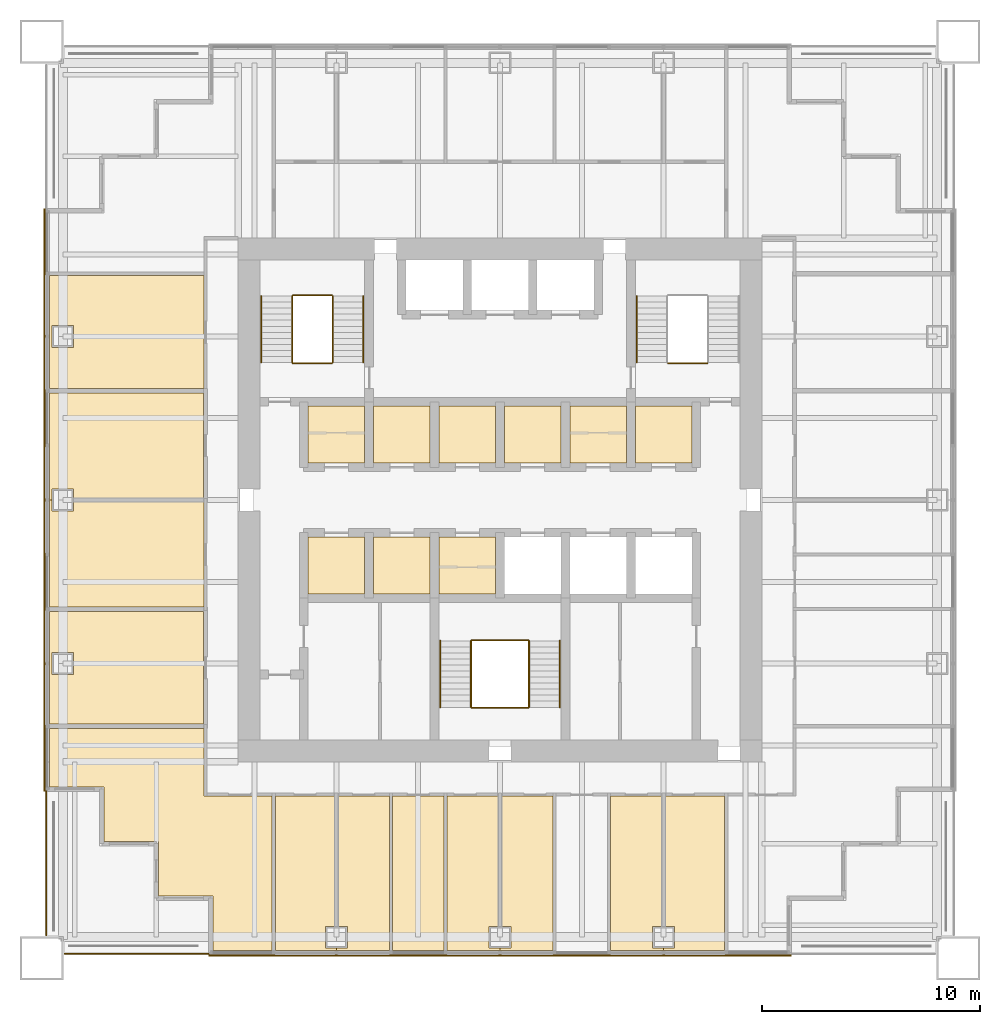
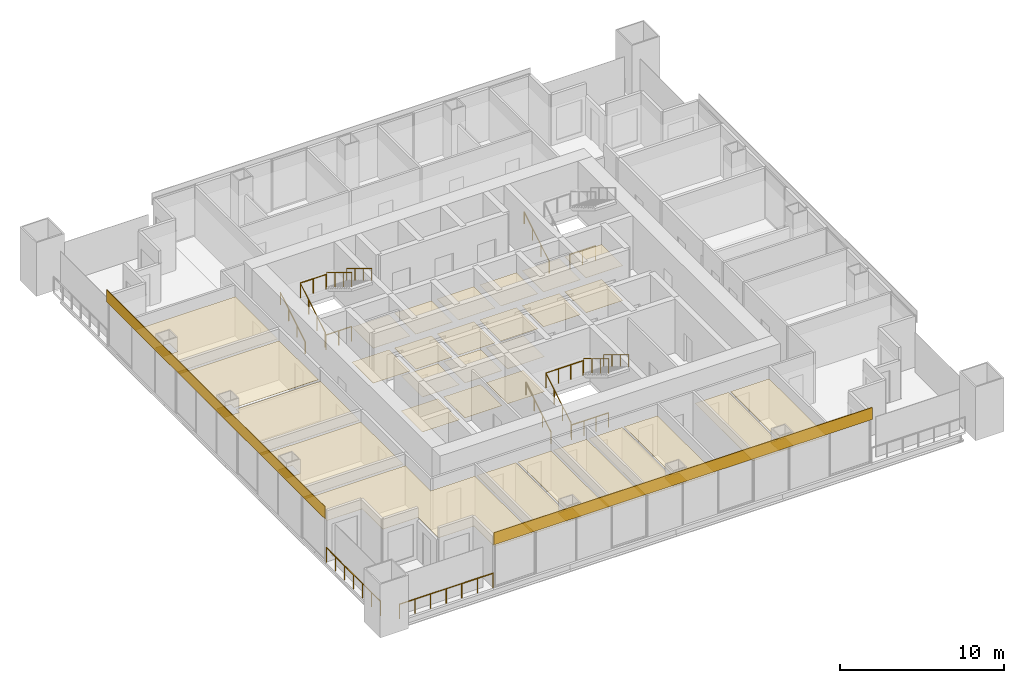
# One storey, part 14 of 15: 32 coverings, 16 railings.
"""IFC4 building model written with IfcOpenShell, lengths in metres."""

from ifc_helpers import new_model, si_unit, direction, frame, origin, origin_2d, place, context, subcontext, project, spatial, polyline, rectangle, circle, outline, extrude, material, layer, layer_set, type_object, element, save


model = new_model("IFC4")

# Units and contexts
model_context = context("Model", 3, precision=1e-05, world=origin(), true_north=direction((0.0, 1.0)))
body_context = subcontext(model_context, "Body", "Model", "MODEL_VIEW")
ifc_project = project(units=[si_unit("LENGTHUNIT", "METRE"), si_unit("AREAUNIT", "SQUARE_METRE"), si_unit("VOLUMEUNIT", "CUBIC_METRE"), si_unit("PLANEANGLEUNIT", "RADIAN"), si_unit("MASSUNIT", "GRAM", prefix="KILO")], contexts=[model_context])

# Site, building, storey
site_placement = place(None, origin())
site = spatial("IfcSite", under=ifc_project, at=site_placement, CompositionType="ELEMENT")
building_placement = place(site_placement, origin())
building = spatial("IfcBuilding", under=site, at=building_placement, Name="Tarangal Relay Tower", CompositionType="ELEMENT")
storey_placement = place(building_placement, frame((0.0, 0.0, 331.89990234375)))
storey = spatial("IfcBuildingStorey", under=building, at=storey_placement, Name="L74", CompositionType="ELEMENT", Elevation=331.89990234375)

# Coverings
ifc_material_1 = material(Name="Anti-static vinyl flooring", Category="plastic")
ifc_layer_1 = layer(ifc_material_1, 0.010009765625)
ifc_layer_set_1 = layer_set([ifc_layer_1], Name="Anti-static vinyl floor")
covering_type_1 = type_object("IfcCoveringType", Name="Anti-static vinyl floor", PredefinedType="FLOORING", material=ifc_layer_set_1)
covering_1_placement = place(storey_placement, origin())
element("IfcCovering", 1, at=covering_1_placement, inside=storey, type_object=covering_type_1, Name="Floor finish FL1 L74-D1", PredefinedType="FLOORING", context=body_context, shape_type="SweptSolid", body=[
    extrude(outline(polyline([(-8.800048828125, 1.699951171875), (-6.199951171875, 1.699951171875), (-6.199951171875, 4.300048828125), (-8.800048828125, 4.300048828125), (-8.800048828125, 1.699951171875)])), origin(), (0.0, 0.0, 1.0), 0.010009765625),
])
covering_2_placement = place(storey_placement, origin())
element("IfcCovering", 2, at=covering_2_placement, inside=storey, type_object=covering_type_1, Name="Floor finish FL1 L74-D2", PredefinedType="FLOORING", context=body_context, shape_type="SweptSolid", body=[
    extrude(outline(polyline([(-5.800048828125, 1.699951171875), (-3.199951171875, 1.699951171875), (-3.199951171875, 4.300048828125), (-5.800048828125, 4.300048828125), (-5.800048828125, 1.699951171875)])), origin(), (0.0, 0.0, 1.0), 0.010009765625),
])
covering_3_placement = place(storey_placement, origin())
element("IfcCovering", 3, at=covering_3_placement, inside=storey, type_object=covering_type_1, Name="Floor finish FL1 L74-D3", PredefinedType="FLOORING", context=body_context, shape_type="SweptSolid", body=[
    extrude(outline(polyline([(-2.800048828125, 1.699951171875), (-0.199951171875, 1.699951171875), (-0.199951171875, 4.300048828125), (-2.800048828125, 4.300048828125), (-2.800048828125, 1.699951171875)])), origin(), (0.0, 0.0, 1.0), 0.010009765625),
])
covering_4_placement = place(storey_placement, origin())
element("IfcCovering", 4, at=covering_4_placement, inside=storey, type_object=covering_type_1, Name="Floor finish FL1 L74-T1", PredefinedType="FLOORING", context=body_context, shape_type="SweptSolid", body=[
    extrude(outline(polyline([(0.199951171875, 1.699951171875), (2.800048828125, 1.699951171875), (2.800048828125, 4.300048828125), (0.199951171875, 4.300048828125), (0.199951171875, 1.699951171875)])), origin(), (0.0, 0.0, 1.0), 0.010009765625),
])
covering_5_placement = place(storey_placement, origin())
element("IfcCovering", 5, at=covering_5_placement, inside=storey, type_object=covering_type_1, Name="Floor finish FL1 L74-T2", PredefinedType="FLOORING", context=body_context, shape_type="SweptSolid", body=[
    extrude(outline(polyline([(3.199951171875, 1.699951171875), (5.800048828125, 1.699951171875), (5.800048828125, 4.300048828125), (3.199951171875, 4.300048828125), (3.199951171875, 1.699951171875)])), origin(), (0.0, 0.0, 1.0), 0.010009765625),
])
covering_6_placement = place(storey_placement, origin())
element("IfcCovering", 6, at=covering_6_placement, inside=storey, type_object=covering_type_1, Name="Floor finish FL1 L74-T3", PredefinedType="FLOORING", context=body_context, shape_type="SweptSolid", body=[
    extrude(outline(polyline([(6.199951171875, 1.699951171875), (8.800048828125, 1.699951171875), (8.800048828125, 4.300048828125), (6.199951171875, 4.300048828125), (6.199951171875, 1.699951171875)])), origin(), (0.0, 0.0, 1.0), 0.010009765625),
])
covering_7_placement = place(storey_placement, origin())
element("IfcCovering", 7, at=covering_7_placement, inside=storey, type_object=covering_type_1, Name="Floor finish FL1 L74-S1", PredefinedType="FLOORING", context=body_context, shape_type="SweptSolid", body=[
    extrude(outline(polyline([(-8.800048828125, -4.300048828125), (-6.199951171875, -4.300048828125), (-6.199951171875, -1.699951171875), (-8.800048828125, -1.699951171875), (-8.800048828125, -4.300048828125)])), origin(), (0.0, 0.0, 1.0), 0.010009765625),
])
covering_8_placement = place(storey_placement, origin())
element("IfcCovering", 8, at=covering_8_placement, inside=storey, type_object=covering_type_1, Name="Floor finish FL1 L74-S2", PredefinedType="FLOORING", context=body_context, shape_type="SweptSolid", body=[
    extrude(outline(polyline([(-5.800048828125, -4.300048828125), (-3.199951171875, -4.300048828125), (-3.199951171875, -1.699951171875), (-5.800048828125, -1.699951171875), (-5.800048828125, -4.300048828125)])), origin(), (0.0, 0.0, 1.0), 0.010009765625),
])
covering_9_placement = place(storey_placement, origin())
element("IfcCovering", 9, at=covering_9_placement, inside=storey, type_object=covering_type_1, Name="Floor finish FL1 L74-S3", PredefinedType="FLOORING", context=body_context, shape_type="SweptSolid", body=[
    extrude(outline(polyline([(-2.800048828125, -4.300048828125), (-0.199951171875, -4.300048828125), (-0.199951171875, -1.699951171875), (-2.800048828125, -1.699951171875), (-2.800048828125, -4.300048828125)])), origin(), (0.0, 0.0, 1.0), 0.010009765625),
])
ifc_material_2 = material(Name="Black anodised aluminium cladding", Category="aluminium")
ifc_layer_2 = layer(ifc_material_2, 0.050048828125)
ifc_layer_set_2 = layer_set([ifc_layer_2], Name="Black metal spandrel band")
covering_type_2 = type_object("IfcCoveringType", Name="Black metal spandrel band", PredefinedType="CLADDING", material=ifc_layer_set_2)
for number, where, z_axis, x_axis, name in (
    (10, (0.0, -20.875, 3.250244140625), (0.0, 0.0, 1.0), (-1.0, 0.0, 0.0), "Spandrel band SB1 S L74"),
    (11, (-20.875, 0.0, 3.250244140625), (0.0, 0.0, 1.0), (0.0, 1.0, 0.0), "Spandrel band SB1 W L74"),
):
    element("IfcCovering", number, at=place(storey_placement, frame(where, z_axis=z_axis, x_axis=x_axis)), inside=storey, type_object=covering_type_2, Name=name, PredefinedType="CLADDING", context=body_context, shape_type="SweptSolid", body=[
        extrude(rectangle(XDim=26.699951171875, YDim=0.050048828125, at=origin_2d()), origin(), (0.0, 0.0, 1.0), 0.89990234375),
    ])

# Railings
ifc_material_3 = material(Name="Steel guard, black finish", Category="steel")
railing_type_1 = type_object("IfcRailingType", Name="Stair guard 1100", PredefinedType="GUARDRAIL", material=ifc_material_3)
railing_1_placement = place(storey_placement, frame((-9.530029296875, 6.300048828125, 0.166748046875)))
element("IfcRailing", 12, at=railing_1_placement, inside=storey, type_object=railing_type_1, Name="Stair ST-A guard GR1 L74 flight 1", PredefinedType="GUARDRAIL", context=body_context, shape_type="SweptSolid", body=[
    extrude(circle(Radius=0.02392578125, at=origin_2d()), frame((0.0, 0.0, 1.076171875), z_axis=(0.0, 0.85685617095, 0.515555527858), x_axis=(-1.0, 0.0, 0.0)), (0.0, 0.0, 1.0), 3.555908203125),
    extrude(circle(Radius=0.02099609375, at=origin_2d()), origin(), (0.0, 0.0, 1.0), 1.052001953125),
    extrude(circle(Radius=0.02099609375, at=origin_2d()), frame((0.0, 1.015625, 0.611083984375)), (0.0, 0.0, 1.0), 1.052001953125),
    extrude(circle(Radius=0.02099609375, at=origin_2d()), frame((0.0, 2.03125, 1.22216796875)), (0.0, 0.0, 1.0), 1.052001953125),
    extrude(circle(Radius=0.02099609375, at=origin_2d()), frame((0.0, 3.046875, 1.833251953125)), (0.0, 0.0, 1.0), 1.052001953125),
])
railing_2_placement = place(storey_placement, frame((-7.669921875, 9.346923828125, 2.166748046875)))
element("IfcRailing", 13, at=railing_2_placement, inside=storey, type_object=railing_type_1, Name="Stair ST-A guard GR1 L74 flight 2", PredefinedType="GUARDRAIL", context=body_context, shape_type="SweptSolid", body=[
    extrude(circle(Radius=0.02392578125, at=origin_2d()), frame((0.0, 0.0, 1.076171875), z_axis=(0.0, -0.85685617095, 0.515555527858), x_axis=(1.0, 0.0, 0.0)), (0.0, 0.0, 1.0), 3.555908203125),
    extrude(circle(Radius=0.02099609375, at=origin_2d()), origin(), (0.0, 0.0, 1.0), 1.052001953125),
    extrude(circle(Radius=0.02099609375, at=origin_2d()), frame((0.0, -1.015625, 0.611083984375)), (0.0, 0.0, 1.0), 1.052001953125),
    extrude(circle(Radius=0.02099609375, at=origin_2d()), frame((0.0, -2.03125, 1.22216796875)), (0.0, 0.0, 1.0), 1.052001953125),
    extrude(circle(Radius=0.02099609375, at=origin_2d()), frame((0.0, -3.046875, 1.833251953125)), (0.0, 0.0, 1.0), 1.052001953125),
])
for number, where, name in (
    (14, (-9.5, 6.27001953125, 0.0), "Stair ST-A landing guard GR1 L74"),
    (15, (-9.5, 9.376953125, 2.0), "Stair ST-A landing guard GR1 L74"),
    (16, (7.699951171875, 6.27001953125, 0.0), "Stair ST-B landing guard GR1 L74"),
):
    element("IfcRailing", number, at=place(storey_placement, frame(where)), inside=storey, type_object=railing_type_1, Name=name, PredefinedType="GUARDRAIL", context=body_context, shape_type="SweptSolid", body=[
        extrude(circle(Radius=0.02392578125, at=origin_2d()), frame((0.0, 0.0, 1.076171875), z_axis=(1.0, 0.0, 0.0), x_axis=(0.0, 1.0, 0.0)), (0.0, 0.0, 1.0), 1.800048828125),
        extrude(circle(Radius=0.02099609375, at=origin_2d()), origin(), (0.0, 0.0, 1.0), 1.052001953125),
        extrude(circle(Radius=0.02099609375, at=origin_2d()), frame((0.89990234375, 0.0, 0.0)), (0.0, 0.0, 1.0), 1.052001953125),
        extrude(circle(Radius=0.02099609375, at=origin_2d()), frame((1.800048828125, 0.0, 0.0)), (0.0, 0.0, 1.0), 1.052001953125),
    ])
railing_3_placement = place(storey_placement, frame((-1.330078125, -9.5, 0.166748046875)))
element("IfcRailing", 17, at=railing_3_placement, inside=storey, type_object=railing_type_1, Name="Stair ST-C guard GR1 L74 flight 1", PredefinedType="GUARDRAIL", context=body_context, shape_type="SweptSolid", body=[
    extrude(circle(Radius=0.02392578125, at=origin_2d()), frame((0.0, 0.0, 1.076171875), z_axis=(0.0, 0.856874418557, 0.515525199018), x_axis=(-1.0, 0.0, 0.0)), (0.0, 0.0, 1.0), 3.55615234375),
    extrude(circle(Radius=0.02099609375, at=origin_2d()), origin(), (0.0, 0.0, 1.0), 1.052001953125),
    extrude(circle(Radius=0.02099609375, at=origin_2d()), frame((0.0, 1.015625, 0.611083984375)), (0.0, 0.0, 1.0), 1.052001953125),
    extrude(circle(Radius=0.02099609375, at=origin_2d()), frame((0.0, 2.031494140625, 1.22216796875)), (0.0, 0.0, 1.0), 1.052001953125),
    extrude(circle(Radius=0.02099609375, at=origin_2d()), frame((0.0, 3.047119140625, 1.833251953125)), (0.0, 0.0, 1.0), 1.052001953125),
])
railing_4_placement = place(storey_placement, frame((1.330078125, -6.452880859375, 2.166748046875)))
element("IfcRailing", 18, at=railing_4_placement, inside=storey, type_object=railing_type_1, Name="Stair ST-C guard GR1 L74 flight 2", PredefinedType="GUARDRAIL", context=body_context, shape_type="SweptSolid", body=[
    extrude(circle(Radius=0.02392578125, at=origin_2d()), frame((0.0, 0.0, 1.076171875), z_axis=(0.0, -0.856874418557, 0.515525199018), x_axis=(1.0, 0.0, 0.0)), (0.0, 0.0, 1.0), 3.55615234375),
    extrude(circle(Radius=0.02099609375, at=origin_2d()), origin(), (0.0, 0.0, 1.0), 1.052001953125),
    extrude(circle(Radius=0.02099609375, at=origin_2d()), frame((0.0, -1.015625, 0.611083984375)), (0.0, 0.0, 1.0), 1.052001953125),
    extrude(circle(Radius=0.02099609375, at=origin_2d()), frame((0.0, -2.031494140625, 1.22216796875)), (0.0, 0.0, 1.0), 1.052001953125),
    extrude(circle(Radius=0.02099609375, at=origin_2d()), frame((0.0, -3.047119140625, 1.833251953125)), (0.0, 0.0, 1.0), 1.052001953125),
])
for number, where, name in (
    (19, (-1.300048828125, -9.530029296875, 0.0), "Stair ST-C landing guard GR1 L74"),
    (20, (-1.300048828125, -6.423095703125, 2.0), "Stair ST-C landing guard GR1 L74"),
):
    element("IfcRailing", number, at=place(storey_placement, frame(where)), inside=storey, type_object=railing_type_1, Name=name, PredefinedType="GUARDRAIL", context=body_context, shape_type="SweptSolid", body=[
        extrude(circle(Radius=0.02392578125, at=origin_2d()), frame((0.0, 0.0, 1.076171875), z_axis=(1.0, 0.0, 0.0), x_axis=(0.0, 1.0, 0.0)), (0.0, 0.0, 1.0), 2.60009765625),
        extrude(circle(Radius=0.02099609375, at=origin_2d()), origin(), (0.0, 0.0, 1.0), 1.052001953125),
        extrude(circle(Radius=0.02099609375, at=origin_2d()), frame((0.86669921875, 0.0, 0.0)), (0.0, 0.0, 1.0), 1.052001953125),
        extrude(circle(Radius=0.02099609375, at=origin_2d()), frame((1.7333984375, 0.0, 0.0)), (0.0, 0.0, 1.0), 1.052001953125),
        extrude(circle(Radius=0.02099609375, at=origin_2d()), frame((2.60009765625, 0.0, 0.0)), (0.0, 0.0, 1.0), 1.052001953125),
    ])
ifc_material_4 = material(Name="Steel handrail, black finish", Category="steel")
railing_type_2 = type_object("IfcRailingType", Name="Stair handrail 900", PredefinedType="HANDRAIL", material=ifc_material_4)
railing_5_placement = place(storey_placement, frame((-10.93994140625, 6.300048828125, 0.166748046875)))
element("IfcRailing", 21, at=railing_5_placement, inside=storey, type_object=railing_type_2, Name="Stair ST-A handrail HR1 L74 flight 1", PredefinedType="HANDRAIL", context=body_context, shape_type="SweptSolid", body=[
    extrude(circle(Radius=0.02392578125, at=origin_2d()), frame((0.0, 0.0, 0.8759765625), z_axis=(0.0, 0.85685617095, 0.515555527858), x_axis=(-1.0, 0.0, 0.0)), (0.0, 0.0, 1.0), 3.555908203125),
    extrude(circle(Radius=0.02099609375, at=origin_2d()), origin(), (0.0, 0.0, 1.0), 0.851806640625),
    extrude(circle(Radius=0.02099609375, at=origin_2d()), frame((0.0, 1.015625, 0.611083984375)), (0.0, 0.0, 1.0), 0.851806640625),
    extrude(circle(Radius=0.02099609375, at=origin_2d()), frame((0.0, 2.03125, 1.22216796875)), (0.0, 0.0, 1.0), 0.851806640625),
    extrude(circle(Radius=0.02099609375, at=origin_2d()), frame((0.0, 3.046875, 1.833251953125)), (0.0, 0.0, 1.0), 0.851806640625),
])
railing_6_placement = place(storey_placement, frame((-6.260009765625, 9.346923828125, 2.166748046875)))
element("IfcRailing", 22, at=railing_6_placement, inside=storey, type_object=railing_type_2, Name="Stair ST-A handrail HR1 L74 flight 2", PredefinedType="HANDRAIL", context=body_context, shape_type="SweptSolid", body=[
    extrude(circle(Radius=0.02392578125, at=origin_2d()), frame((0.0, 0.0, 0.8759765625), z_axis=(0.0, -0.85685617095, 0.515555527858), x_axis=(1.0, 0.0, 0.0)), (0.0, 0.0, 1.0), 3.555908203125),
    extrude(circle(Radius=0.02099609375, at=origin_2d()), origin(), (0.0, 0.0, 1.0), 0.851806640625),
    extrude(circle(Radius=0.02099609375, at=origin_2d()), frame((0.0, -1.015625, 0.611083984375)), (0.0, 0.0, 1.0), 0.851806640625),
    extrude(circle(Radius=0.02099609375, at=origin_2d()), frame((0.0, -2.03125, 1.22216796875)), (0.0, 0.0, 1.0), 0.851806640625),
    extrude(circle(Radius=0.02099609375, at=origin_2d()), frame((0.0, -3.046875, 1.833251953125)), (0.0, 0.0, 1.0), 0.851806640625),
])
railing_7_placement = place(storey_placement, frame((6.260009765625, 6.300048828125, 0.166748046875)))
element("IfcRailing", 23, at=railing_7_placement, inside=storey, type_object=railing_type_2, Name="Stair ST-B handrail HR1 L74 flight 1", PredefinedType="HANDRAIL", context=body_context, shape_type="SweptSolid", body=[
    extrude(circle(Radius=0.02392578125, at=origin_2d()), frame((0.0, 0.0, 0.8759765625), z_axis=(0.0, 0.85685617095, 0.515555527858), x_axis=(-1.0, 0.0, 0.0)), (0.0, 0.0, 1.0), 3.555908203125),
    extrude(circle(Radius=0.02099609375, at=origin_2d()), origin(), (0.0, 0.0, 1.0), 0.851806640625),
    extrude(circle(Radius=0.02099609375, at=origin_2d()), frame((0.0, 1.015625, 0.611083984375)), (0.0, 0.0, 1.0), 0.851806640625),
    extrude(circle(Radius=0.02099609375, at=origin_2d()), frame((0.0, 2.03125, 1.22216796875)), (0.0, 0.0, 1.0), 0.851806640625),
    extrude(circle(Radius=0.02099609375, at=origin_2d()), frame((0.0, 3.046875, 1.833251953125)), (0.0, 0.0, 1.0), 0.851806640625),
])
railing_8_placement = place(storey_placement, frame((-2.739990234375, -9.5, 0.166748046875)))
element("IfcRailing", 24, at=railing_8_placement, inside=storey, type_object=railing_type_2, Name="Stair ST-C handrail HR1 L74 flight 1", PredefinedType="HANDRAIL", context=body_context, shape_type="SweptSolid", body=[
    extrude(circle(Radius=0.02392578125, at=origin_2d()), frame((0.0, 0.0, 0.8759765625), z_axis=(0.0, 0.856874418557, 0.515525199018), x_axis=(-1.0, 0.0, 0.0)), (0.0, 0.0, 1.0), 3.55615234375),
    extrude(circle(Radius=0.02099609375, at=origin_2d()), origin(), (0.0, 0.0, 1.0), 0.851806640625),
    extrude(circle(Radius=0.02099609375, at=origin_2d()), frame((0.0, 1.015625, 0.611083984375)), (0.0, 0.0, 1.0), 0.851806640625),
    extrude(circle(Radius=0.02099609375, at=origin_2d()), frame((0.0, 2.031494140625, 1.22216796875)), (0.0, 0.0, 1.0), 0.851806640625),
    extrude(circle(Radius=0.02099609375, at=origin_2d()), frame((0.0, 3.047119140625, 1.833251953125)), (0.0, 0.0, 1.0), 0.851806640625),
])
railing_9_placement = place(storey_placement, frame((2.739990234375, -6.452880859375, 2.166748046875)))
element("IfcRailing", 25, at=railing_9_placement, inside=storey, type_object=railing_type_2, Name="Stair ST-C handrail HR1 L74 flight 2", PredefinedType="HANDRAIL", context=body_context, shape_type="SweptSolid", body=[
    extrude(circle(Radius=0.02392578125, at=origin_2d()), frame((0.0, 0.0, 0.8759765625), z_axis=(0.0, -0.856874418557, 0.515525199018), x_axis=(1.0, 0.0, 0.0)), (0.0, 0.0, 1.0), 3.55615234375),
    extrude(circle(Radius=0.02099609375, at=origin_2d()), origin(), (0.0, 0.0, 1.0), 0.851806640625),
    extrude(circle(Radius=0.02099609375, at=origin_2d()), frame((0.0, -1.015625, 0.611083984375)), (0.0, 0.0, 1.0), 0.851806640625),
    extrude(circle(Radius=0.02099609375, at=origin_2d()), frame((0.0, -2.031494140625, 1.22216796875)), (0.0, 0.0, 1.0), 0.851806640625),
    extrude(circle(Radius=0.02099609375, at=origin_2d()), frame((0.0, -3.047119140625, 1.833251953125)), (0.0, 0.0, 1.0), 0.851806640625),
])

# Coverings
ifc_material_5 = material(Name="Mineral fibre ceiling tiles", Category="gypsum")
ifc_layer_3 = layer(ifc_material_5, 0.02001953125)
ifc_layer_set_3 = layer_set([ifc_layer_3], Name="Suspended ceiling")
covering_type_3 = type_object("IfcCoveringType", Name="Suspended ceiling", PredefinedType="CEILING", material=ifc_layer_set_3)
covering_10_placement = place(storey_placement, frame((0.0, 0.0, 2.60009765625)))
element("IfcCovering", 26, at=covering_10_placement, inside=storey, type_object=covering_type_3, Name="Suspended ceiling CL1 L74-D1", PredefinedType="CEILING", context=body_context, shape_type="SweptSolid", body=[
    extrude(outline(polyline([(-8.800048828125, 1.699951171875), (-6.199951171875, 1.699951171875), (-6.199951171875, 4.300048828125), (-8.800048828125, 4.300048828125), (-8.800048828125, 1.699951171875)])), origin(), (0.0, 0.0, 1.0), 0.02001953125),
])
covering_11_placement = place(storey_placement, frame((0.0, 0.0, 2.60009765625)))
element("IfcCovering", 27, at=covering_11_placement, inside=storey, type_object=covering_type_3, Name="Suspended ceiling CL1 L74-D2", PredefinedType="CEILING", context=body_context, shape_type="SweptSolid", body=[
    extrude(outline(polyline([(-5.800048828125, 1.699951171875), (-3.199951171875, 1.699951171875), (-3.199951171875, 4.300048828125), (-5.800048828125, 4.300048828125), (-5.800048828125, 1.699951171875)])), origin(), (0.0, 0.0, 1.0), 0.02001953125),
])
covering_12_placement = place(storey_placement, frame((0.0, 0.0, 2.60009765625)))
element("IfcCovering", 28, at=covering_12_placement, inside=storey, type_object=covering_type_3, Name="Suspended ceiling CL1 L74-D3", PredefinedType="CEILING", context=body_context, shape_type="SweptSolid", body=[
    extrude(outline(polyline([(-2.800048828125, 1.699951171875), (-0.199951171875, 1.699951171875), (-0.199951171875, 4.300048828125), (-2.800048828125, 4.300048828125), (-2.800048828125, 1.699951171875)])), origin(), (0.0, 0.0, 1.0), 0.02001953125),
])
covering_13_placement = place(storey_placement, frame((0.0, 0.0, 2.60009765625)))
element("IfcCovering", 29, at=covering_13_placement, inside=storey, type_object=covering_type_3, Name="Suspended ceiling CL1 L74-T1", PredefinedType="CEILING", context=body_context, shape_type="SweptSolid", body=[
    extrude(outline(polyline([(0.199951171875, 1.699951171875), (2.800048828125, 1.699951171875), (2.800048828125, 4.300048828125), (0.199951171875, 4.300048828125), (0.199951171875, 1.699951171875)])), origin(), (0.0, 0.0, 1.0), 0.02001953125),
])
covering_14_placement = place(storey_placement, frame((0.0, 0.0, 2.60009765625)))
element("IfcCovering", 30, at=covering_14_placement, inside=storey, type_object=covering_type_3, Name="Suspended ceiling CL1 L74-T2", PredefinedType="CEILING", context=body_context, shape_type="SweptSolid", body=[
    extrude(outline(polyline([(3.199951171875, 1.699951171875), (5.800048828125, 1.699951171875), (5.800048828125, 4.300048828125), (3.199951171875, 4.300048828125), (3.199951171875, 1.699951171875)])), origin(), (0.0, 0.0, 1.0), 0.02001953125),
])
covering_15_placement = place(storey_placement, frame((0.0, 0.0, 2.60009765625)))
element("IfcCovering", 31, at=covering_15_placement, inside=storey, type_object=covering_type_3, Name="Suspended ceiling CL1 L74-T3", PredefinedType="CEILING", context=body_context, shape_type="SweptSolid", body=[
    extrude(outline(polyline([(6.199951171875, 1.699951171875), (8.800048828125, 1.699951171875), (8.800048828125, 4.300048828125), (6.199951171875, 4.300048828125), (6.199951171875, 1.699951171875)])), origin(), (0.0, 0.0, 1.0), 0.02001953125),
])
covering_16_placement = place(storey_placement, frame((0.0, 0.0, 2.60009765625)))
element("IfcCovering", 32, at=covering_16_placement, inside=storey, type_object=covering_type_3, Name="Suspended ceiling CL1 L74-S1", PredefinedType="CEILING", context=body_context, shape_type="SweptSolid", body=[
    extrude(outline(polyline([(-8.800048828125, -4.300048828125), (-6.199951171875, -4.300048828125), (-6.199951171875, -1.699951171875), (-8.800048828125, -1.699951171875), (-8.800048828125, -4.300048828125)])), origin(), (0.0, 0.0, 1.0), 0.02001953125),
])
covering_17_placement = place(storey_placement, frame((0.0, 0.0, 2.60009765625)))
element("IfcCovering", 33, at=covering_17_placement, inside=storey, type_object=covering_type_3, Name="Suspended ceiling CL1 L74-S2", PredefinedType="CEILING", context=body_context, shape_type="SweptSolid", body=[
    extrude(outline(polyline([(-5.800048828125, -4.300048828125), (-3.199951171875, -4.300048828125), (-3.199951171875, -1.699951171875), (-5.800048828125, -1.699951171875), (-5.800048828125, -4.300048828125)])), origin(), (0.0, 0.0, 1.0), 0.02001953125),
])
covering_18_placement = place(storey_placement, frame((0.0, 0.0, 2.60009765625)))
element("IfcCovering", 34, at=covering_18_placement, inside=storey, type_object=covering_type_3, Name="Suspended ceiling CL1 L74-S3", PredefinedType="CEILING", context=body_context, shape_type="SweptSolid", body=[
    extrude(outline(polyline([(-2.800048828125, -4.300048828125), (-0.199951171875, -4.300048828125), (-0.199951171875, -1.699951171875), (-2.800048828125, -1.699951171875), (-2.800048828125, -4.300048828125)])), origin(), (0.0, 0.0, 1.0), 0.02001953125),
])
covering_19_placement = place(storey_placement, frame((0.0, 0.0, 2.900146484375)))
element("IfcCovering", 35, at=covering_19_placement, inside=storey, type_object=covering_type_3, Name="Suspended ceiling CL1 L74-13", PredefinedType="CEILING", context=body_context, shape_type="SweptSolid", body=[
    extrude(outline(polyline([(7.5, -20.64990234375), (10.300048828125, -20.64990234375), (10.300048828125, -13.574951171875), (7.574951171875, -13.574951171875), (7.574951171875, -19.5400390625), (8.0, -19.5400390625), (8.0, -20.5400390625), (7.5, -20.5400390625), (7.5, -20.64990234375)])), origin(), (0.0, 0.0, 1.0), 0.02001953125),
])
covering_20_placement = place(storey_placement, frame((0.0, 0.0, 2.900146484375)))
element("IfcCovering", 36, at=covering_20_placement, inside=storey, type_object=covering_type_3, Name="Suspended ceiling CL1 L74-14", PredefinedType="CEILING", context=body_context, shape_type="SweptSolid", body=[
    extrude(outline(polyline([(5.074951171875, -20.64990234375), (7.5, -20.64990234375), (7.5, -20.5400390625), (7.0, -20.5400390625), (7.0, -19.5400390625), (7.425048828125, -19.5400390625), (7.425048828125, -13.574951171875), (5.074951171875, -13.574951171875), (5.074951171875, -20.64990234375)])), origin(), (0.0, 0.0, 1.0), 0.02001953125),
])
covering_21_placement = place(storey_placement, frame((0.0, 0.0, 2.900146484375)))
element("IfcCovering", 37, at=covering_21_placement, inside=storey, type_object=covering_type_3, Name="Suspended ceiling CL1 L74-16", PredefinedType="CEILING", context=body_context, shape_type="SweptSolid", body=[
    extrude(outline(polyline([(0.0, -20.64990234375), (2.425048828125, -20.64990234375), (2.425048828125, -13.574951171875), (0.074951171875, -13.574951171875), (0.074951171875, -19.5400390625), (0.5, -19.5400390625), (0.5, -20.5400390625), (0.0, -20.5400390625), (0.0, -20.64990234375)])), origin(), (0.0, 0.0, 1.0), 0.02001953125),
])
covering_22_placement = place(storey_placement, frame((0.0, 0.0, 2.900146484375)))
element("IfcCovering", 38, at=covering_22_placement, inside=storey, type_object=covering_type_3, Name="Suspended ceiling CL1 L74-17", PredefinedType="CEILING", context=body_context, shape_type="SweptSolid", body=[
    extrude(outline(polyline([(-2.425048828125, -20.64990234375), (0.0, -20.64990234375), (0.0, -20.5400390625), (-0.5, -20.5400390625), (-0.5, -19.5400390625), (-0.074951171875, -19.5400390625), (-0.074951171875, -13.574951171875), (-2.425048828125, -13.574951171875), (-2.425048828125, -20.64990234375)])), origin(), (0.0, 0.0, 1.0), 0.02001953125),
])
covering_23_placement = place(storey_placement, frame((0.0, 0.0, 2.900146484375)))
element("IfcCovering", 39, at=covering_23_placement, inside=storey, type_object=covering_type_3, Name="Suspended ceiling CL1 L74-18", PredefinedType="CEILING", context=body_context, shape_type="SweptSolid", body=[
    extrude(outline(polyline([(-2.574951171875, -20.64990234375), (-2.574951171875, -13.574951171875), (-4.925048828125, -13.574951171875), (-4.925048828125, -20.64990234375), (-2.574951171875, -20.64990234375)])), origin(), (0.0, 0.0, 1.0), 0.02001953125),
])
covering_24_placement = place(storey_placement, frame((0.0, 0.0, 2.900146484375)))
element("IfcCovering", 40, at=covering_24_placement, inside=storey, type_object=covering_type_3, Name="Suspended ceiling CL1 L74-19", PredefinedType="CEILING", context=body_context, shape_type="SweptSolid", body=[
    extrude(outline(polyline([(-7.5, -20.64990234375), (-5.074951171875, -20.64990234375), (-5.074951171875, -13.574951171875), (-7.425048828125, -13.574951171875), (-7.425048828125, -19.5400390625), (-7.0, -19.5400390625), (-7.0, -20.5400390625), (-7.5, -20.5400390625), (-7.5, -20.64990234375)])), origin(), (0.0, 0.0, 1.0), 0.02001953125),
])
covering_25_placement = place(storey_placement, frame((0.0, 0.0, 2.900146484375)))
element("IfcCovering", 41, at=covering_25_placement, inside=storey, type_object=covering_type_3, Name="Suspended ceiling CL1 L74-20", PredefinedType="CEILING", context=body_context, shape_type="SweptSolid", body=[
    extrude(outline(polyline([(-10.300048828125, -20.64990234375), (-7.5, -20.64990234375), (-7.5, -20.5400390625), (-8.0, -20.5400390625), (-8.0, -19.5400390625), (-7.574951171875, -19.5400390625), (-7.574951171875, -13.574951171875), (-10.300048828125, -13.574951171875), (-10.300048828125, -20.64990234375)])), origin(), (0.0, 0.0, 1.0), 0.02001953125),
])
covering_26_placement = place(storey_placement, frame((0.0, 0.0, 2.900146484375)))
element("IfcCovering", 42, at=covering_26_placement, inside=storey, type_object=covering_type_3, Name="Suspended ceiling CL1 L74-21", PredefinedType="CEILING", context=body_context, shape_type="SweptSolid", body=[
    extrude(outline(polyline([(-20.64990234375, -5.10009765625), (-20.64990234375, -10.27490234375), (-13.60009765625, -10.27490234375), (-13.60009765625, -5.10009765625), (-20.64990234375, -5.10009765625)]), holes=[polyline([(-19.5400390625, -7.0), (-20.5400390625, -7.0), (-20.5400390625, -8.0), (-19.5400390625, -8.0), (-19.5400390625, -7.0)])]), origin(), (0.0, 0.0, 1.0), 0.02001953125),
])
covering_27_placement = place(storey_placement, frame((0.0, 0.0, 2.900146484375)))
element("IfcCovering", 43, at=covering_27_placement, inside=storey, type_object=covering_type_3, Name="Suspended ceiling CL1 L74-22", PredefinedType="CEILING", context=body_context, shape_type="SweptSolid", body=[
    extrude(outline(polyline([(-20.64990234375, 0.0), (-20.64990234375, -4.89990234375), (-13.574951171875, -4.89990234375), (-13.574951171875, -0.10009765625), (-19.5400390625, -0.10009765625), (-19.5400390625, -0.5), (-20.5400390625, -0.5), (-20.5400390625, 0.0), (-20.64990234375, 0.0)])), origin(), (0.0, 0.0, 1.0), 0.02001953125),
])
covering_28_placement = place(storey_placement, frame((0.0, 0.0, 2.900146484375)))
element("IfcCovering", 44, at=covering_28_placement, inside=storey, type_object=covering_type_3, Name="Suspended ceiling CL1 L74-23", PredefinedType="CEILING", context=body_context, shape_type="SweptSolid", body=[
    extrude(outline(polyline([(-20.64990234375, 4.89990234375), (-20.64990234375, 0.0), (-20.5400390625, 0.0), (-20.5400390625, 0.5), (-19.5400390625, 0.5), (-19.5400390625, 0.10009765625), (-13.60009765625, 0.10009765625), (-13.60009765625, 4.89990234375), (-20.64990234375, 4.89990234375)])), origin(), (0.0, 0.0, 1.0), 0.02001953125),
])
covering_29_placement = place(storey_placement, frame((0.0, 0.0, 2.900146484375)))
element("IfcCovering", 45, at=covering_29_placement, inside=storey, type_object=covering_type_3, Name="Suspended ceiling CL1 L74-24", PredefinedType="CEILING", context=body_context, shape_type="SweptSolid", body=[
    extrude(outline(polyline([(-20.64990234375, 10.300048828125), (-20.64990234375, 5.10009765625), (-13.574951171875, 5.10009765625), (-13.574951171875, 10.300048828125), (-20.64990234375, 10.300048828125)]), holes=[polyline([(-19.5400390625, 8.0), (-20.5400390625, 8.0), (-20.5400390625, 7.0), (-19.5400390625, 7.0), (-19.5400390625, 8.0)])]), origin(), (0.0, 0.0, 1.0), 0.02001953125),
])
covering_30_placement = place(storey_placement, frame((0.0, 0.0, 2.900146484375)))
element("IfcCovering", 46, at=covering_30_placement, inside=storey, type_object=covering_type_3, Name="Suspended ceiling CL1 L74-27", PredefinedType="CEILING", context=body_context, shape_type="SweptSolid", body=[
    extrude(outline(polyline([(-13.14990234375, -18.14990234375), (-13.14990234375, -20.64990234375), (-10.449951171875, -20.64990234375), (-10.449951171875, -13.574951171875), (-13.574951171875, -13.574951171875), (-13.574951171875, -10.47509765625), (-20.64990234375, -10.47509765625), (-20.64990234375, -13.14990234375), (-18.14990234375, -13.14990234375), (-18.14990234375, -15.64990234375), (-15.64990234375, -15.64990234375), (-15.64990234375, -18.14990234375), (-13.14990234375, -18.14990234375)])), origin(), (0.0, 0.0, 1.0), 0.02001953125),
])

# Railings
ifc_material_6 = material(Name="Black steel guard with glass infill", Category="steel")
railing_type_3 = type_object("IfcRailingType", Name="Terrace guard 1100", PredefinedType="GUARDRAIL", material=ifc_material_6)
railing_10_placement = place(storey_placement, frame((-13.35009765625, -20.800048828125, 0.0)))
element("IfcRailing", 47, at=railing_10_placement, inside=storey, type_object=railing_type_3, Name="Terrace guard GR2 SW L74", PredefinedType="GUARDRAIL", context=body_context, shape_type="SweptSolid", body=[
    extrude(circle(Radius=0.02392578125, at=origin_2d()), frame((0.0, 0.0, 1.076171875), z_axis=(-1.0, 0.0, 0.0), x_axis=(0.0, -1.0, 0.0)), (0.0, 0.0, 1.0), 6.599853515625),
    extrude(circle(Radius=0.02099609375, at=origin_2d()), origin(), (0.0, 0.0, 1.0), 1.052001953125),
    extrude(circle(Radius=0.02099609375, at=origin_2d()), frame((-1.10009765625, 0.0, 0.0)), (0.0, 0.0, 1.0), 1.052001953125),
    extrude(circle(Radius=0.02099609375, at=origin_2d()), frame((-2.199951171875, 0.0, 0.0)), (0.0, 0.0, 1.0), 1.052001953125),
    extrude(circle(Radius=0.02099609375, at=origin_2d()), frame((-3.2998046875, 0.0, 0.0)), (0.0, 0.0, 1.0), 1.052001953125),
    extrude(circle(Radius=0.02099609375, at=origin_2d()), frame((-4.39990234375, 0.0, 0.0)), (0.0, 0.0, 1.0), 1.052001953125),
    extrude(circle(Radius=0.02099609375, at=origin_2d()), frame((-5.5, 0.0, 0.0)), (0.0, 0.0, 1.0), 1.052001953125),
    extrude(circle(Radius=0.02099609375, at=origin_2d()), frame((-6.599853515625, 0.0, 0.0)), (0.0, 0.0, 1.0), 1.052001953125),
])
railing_11_placement = place(storey_placement, frame((-20.800048828125, -19.949951171875, 0.0)))
element("IfcRailing", 48, at=railing_11_placement, inside=storey, type_object=railing_type_3, Name="Terrace guard GR2 SW L74", PredefinedType="GUARDRAIL", context=body_context, shape_type="SweptSolid", body=[
    extrude(circle(Radius=0.02392578125, at=origin_2d()), frame((0.0, 0.0, 1.076171875), z_axis=(0.0, 1.0, 0.0), x_axis=(-1.0, 0.0, 0.0)), (0.0, 0.0, 1.0), 6.599853515625),
    extrude(circle(Radius=0.02099609375, at=origin_2d()), origin(), (0.0, 0.0, 1.0), 1.052001953125),
    extrude(circle(Radius=0.02099609375, at=origin_2d()), frame((0.0, 1.10009765625, 0.0)), (0.0, 0.0, 1.0), 1.052001953125),
    extrude(circle(Radius=0.02099609375, at=origin_2d()), frame((0.0, 2.199951171875, 0.0)), (0.0, 0.0, 1.0), 1.052001953125),
    extrude(circle(Radius=0.02099609375, at=origin_2d()), frame((0.0, 3.2998046875, 0.0)), (0.0, 0.0, 1.0), 1.052001953125),
    extrude(circle(Radius=0.02099609375, at=origin_2d()), frame((0.0, 4.39990234375, 0.0)), (0.0, 0.0, 1.0), 1.052001953125),
    extrude(circle(Radius=0.02099609375, at=origin_2d()), frame((0.0, 5.5, 0.0)), (0.0, 0.0, 1.0), 1.052001953125),
    extrude(circle(Radius=0.02099609375, at=origin_2d()), frame((0.0, 6.599853515625, 0.0)), (0.0, 0.0, 1.0), 1.052001953125),
])

save(model, "model.ifc")
